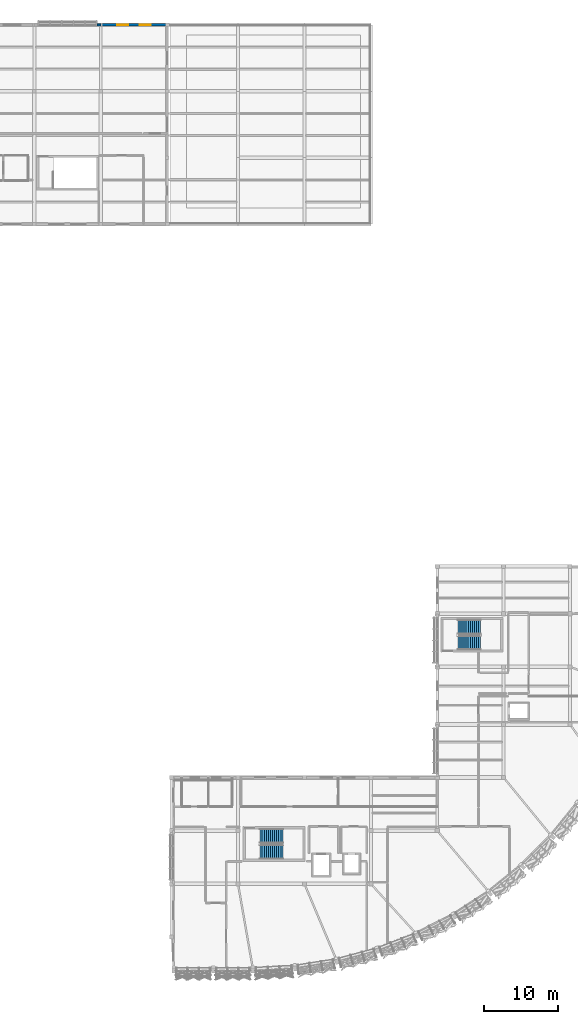
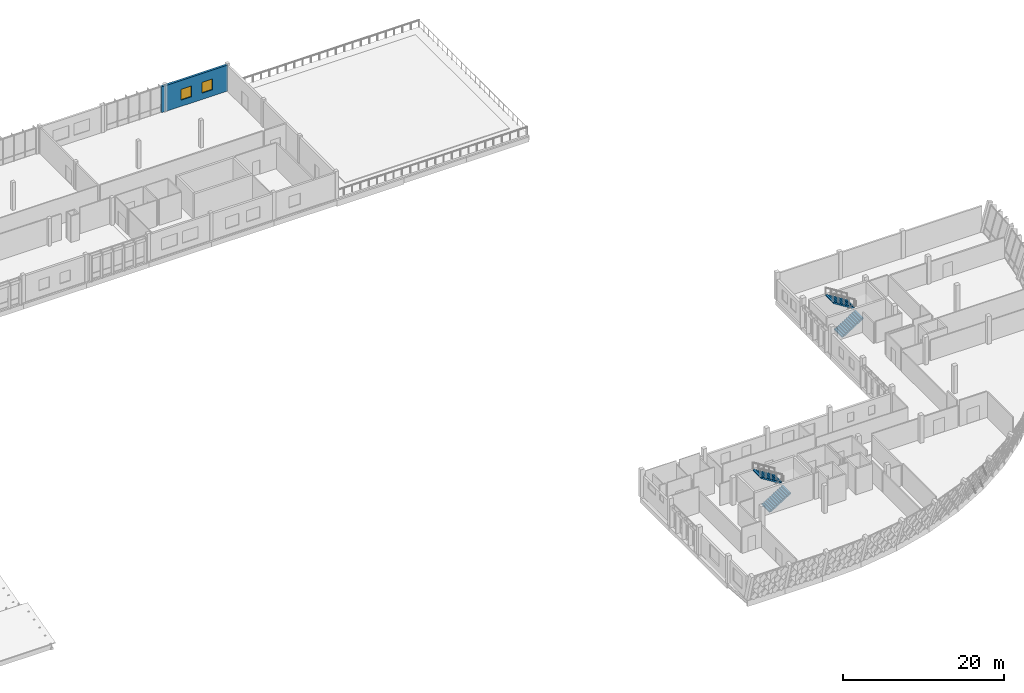
# One storey, part 90 of 94: 4 stair flights, 2 walls, 2 windows, 2 openings, 2 elements without a shape of their own.
"""IFC4 building model written with IfcOpenShell, lengths in metres."""

from ifc_helpers import new_model, si_unit, direction, frame, frame_2d, origin, place, context, subcontext, project, spatial, polyline, rectangle, outline, extrude, material, layer, layer_set, type_object, element, fill, aggregate, save


model = new_model("IFC4")

# Units and contexts
model_context = context("Model", 3, precision=1e-05, world=origin(), true_north=direction((0.0, 1.0)))
body_context = subcontext(model_context, "Body", "Model", "MODEL_VIEW")
ifc_project = project(units=[si_unit("LENGTHUNIT", "METRE"), si_unit("AREAUNIT", "SQUARE_METRE"), si_unit("VOLUMEUNIT", "CUBIC_METRE"), si_unit("PLANEANGLEUNIT", "RADIAN"), si_unit("MASSUNIT", "GRAM", prefix="KILO")], contexts=[model_context])

# Site, building, storey
site_placement = place(None, origin())
site = spatial("IfcSite", under=ifc_project, at=site_placement, CompositionType="ELEMENT")
building_placement = place(site_placement, origin())
building = spatial("IfcBuilding", under=site, at=building_placement, Name="Chiffa Square Polytechnic", CompositionType="ELEMENT")
storey_placement = place(building_placement, frame((0.0, 0.0, 18.0)))
storey = spatial("IfcBuildingStorey", under=building, at=storey_placement, Name="L04", CompositionType="ELEMENT", Elevation=18.0)

# Wall
ifc_material_1 = material(Name="Precast concrete C40/50", Category="concrete")
ifc_layer_1 = layer(ifc_material_1, 0.260009765625, Name="Precast concrete C40/50")
ifc_layer_set_1 = layer_set([ifc_layer_1], Name="Precast concrete C40/50")
wall_type_1 = type_object("IfcWallType", Name="WL-EXT-PC260", PredefinedType="SOLIDWALL", material=ifc_layer_set_1)
wall_1_placement = place(storey_placement, frame((102.60009765625, 130.800048828125, 0.0), z_axis=(0.0, 0.0, 1.0), x_axis=(-1.0, 0.0, 0.0)))
element("IfcWall", 1, at=wall_1_placement, inside=storey, type_object=wall_type_1, Name="Facade column pier V5-L04-0376L", PredefinedType="SOLIDWALL", context=body_context, shape_type="SweptSolid", body=[
    extrude(rectangle(XDim=0.5400390625, YDim=0.260009765625, at=frame_2d((0.27001953125, 0.0))), origin(), (0.0, 0.0, 1.0), 3.93994140625),
])

# Wall, openings, windows
ifc_layer_2 = layer(ifc_material_1, 0.320068359375, Name="Precast concrete C40/50")
ifc_layer_set_2 = layer_set([ifc_layer_2], Name="Precast concrete C40/50")
wall_type_2 = type_object("IfcWallType", Name="WL-EXT-PC320", PredefinedType="SOLIDWALL", material=ifc_layer_set_2)
wall_2_placement = place(storey_placement, frame((111.60009765625, 130.800048828125, 0.0), z_axis=(0.0, 0.0, 1.0), x_axis=(-1.0, 0.0, 0.0)))
wall_2 = element("IfcWall", 2, at=wall_2_placement, inside=storey, type_object=wall_type_2, Name="Exterior wall WE-V5-L04-0375", PredefinedType="SOLIDWALL", context=body_context, shape_type="SweptSolid", body=[
    extrude(rectangle(XDim=9.0, YDim=0.320068359375, at=frame_2d((4.5, 0.0))), origin(), (0.0, 0.0, 1.0), 3.93994140625),
])
opening_1_placement = place(wall_2_placement, frame((2.25, 0.0, 0.949951171875)))
opening_1 = element("IfcOpeningElement", 3, at=opening_1_placement, cuts=wall_2, Name="Opening W-07", PredefinedType="OPENING", context=body_context, shape_type="SweptSolid", body=[
    extrude(rectangle(XDim=1.5, YDim=1.64990234375, at=frame_2d((0.75, 0.824951171875))), frame((0.0, 0.169921875, 0.0), z_axis=(0.0, -1.0, 0.0), x_axis=(1.0, 0.0, 0.0)), (0.0, 0.0, 1.0), 0.340087890625),
])
opening_2_placement = place(wall_2_placement, frame((5.25, 0.0, 0.949951171875)))
opening_2 = element("IfcOpeningElement", 4, at=opening_2_placement, cuts=wall_2, Name="Opening W-07", PredefinedType="OPENING", context=body_context, shape_type="SweptSolid", body=[
    extrude(rectangle(XDim=1.5, YDim=1.64990234375, at=frame_2d((0.75, 0.824951171875))), frame((0.0, 0.169921875, 0.0), z_axis=(0.0, -1.0, 0.0), x_axis=(1.0, 0.0, 0.0)), (0.0, 0.0, 1.0), 0.340087890625),
])
ifc_material_2 = material(Name="Double glazing in thermally broken aluminium frame", Category="aluminium")
window_type = type_object("IfcWindowType", Name="WIN-LAB-1500X1650", PartitioningType="DOUBLE_PANEL_VERTICAL", PredefinedType="WINDOW", material=ifc_material_2)
window_1_placement = place(opening_1_placement, origin())
window_1 = element("IfcWindow", 5, at=window_1_placement, inside=storey, type_object=window_type, Name="Facade window WN-L04-0265", OverallHeight=1.64990234375, OverallWidth=1.5, PartitioningType="DOUBLE_PANEL_VERTICAL", PredefinedType="WINDOW", context=body_context, shape_type="SweptSolid", body=[
    extrude(rectangle(XDim=1.5, YDim=1.64990234375, at=frame_2d((0.75, 0.824951171875))), frame((0.0, 0.030029296875, 0.0), z_axis=(0.0, -1.0, 0.0), x_axis=(1.0, 0.0, 0.0)), (0.0, 0.0, 1.0), 0.06005859375),
])
fill(opening_1, window_1)
window_2_placement = place(opening_2_placement, origin())
window_2 = element("IfcWindow", 6, at=window_2_placement, inside=storey, type_object=window_type, Name="Facade window WN-L04-0266", OverallHeight=1.64990234375, OverallWidth=1.5, PartitioningType="DOUBLE_PANEL_VERTICAL", PredefinedType="WINDOW", context=body_context, shape_type="SweptSolid", body=[
    extrude(rectangle(XDim=1.5, YDim=1.64990234375, at=frame_2d((0.75, 0.824951171875))), frame((0.0, 0.030029296875, 0.0), z_axis=(0.0, -1.0, 0.0), x_axis=(1.0, 0.0, 0.0)), (0.0, 0.0, 1.0), 0.06005859375),
])
fill(opening_2, window_2)

# Stair, stair flights
ifc_material_3 = material(Name="Concrete C35/45", Category="concrete")
stair_type = type_object("IfcStairType", Name="STAIR-DOG-1950", PredefinedType="HALF_TURN_STAIR", material=ifc_material_3)
stair_1_placement = place(storey_placement, origin())
stair_1 = element("IfcStair", 7, at=stair_1_placement, inside=storey, type_object=stair_type, Name="L04 Enclosed exit stair ST-V1A", PredefinedType="HALF_TURN_STAIR")
stair_flight_type = type_object("IfcStairFlightType", Name="STFLT-1950", PredefinedType="STRAIGHT", material=ifc_material_3)
stair_flight_1_placement = place(storey_placement, frame((124.199951171875, 18.72509765625, 0.0), z_axis=(0.0, 0.0, 1.0), x_axis=(1.0, 0.0, 0.0)))
stair_flight_1 = element("IfcStairFlight", 8, at=stair_flight_1_placement, type_object=stair_flight_type, Name="ST-V1A flight 1", NumberOfRisers=12, NumberOfTreads=11, PredefinedType="STRAIGHT", RiserHeight=0.175, TreadLength=0.28, context=body_context, shape_type="SweptSolid", body=[
    extrude(outline(polyline([(0.0, 0.0), (0.0, 0.175048828125), (0.280029296875, 0.175048828125), (0.280029296875, 0.35009765625), (0.56005859375, 0.35009765625), (0.56005859375, 0.52490234375), (0.840087890625, 0.52490234375), (0.840087890625, 0.699951171875), (1.1201171875, 0.699951171875), (1.1201171875, 0.875), (1.39990234375, 0.875), (1.39990234375, 1.050048828125), (1.679931640625, 1.050048828125), (1.679931640625, 1.22509765625), (1.9599609375, 1.22509765625), (1.9599609375, 1.39990234375), (2.239990234375, 1.39990234375), (2.239990234375, 1.574951171875), (2.52001953125, 1.574951171875), (2.52001953125, 1.75), (2.800048828125, 1.75), (2.800048828125, 1.925048828125), (3.080078125, 1.925048828125), (3.080078125, 2.10009765625), (3.080078125, 1.736328125), (0.3017578125, 0.0), (0.0, 0.0)])), frame((0.0, 0.97509765625, 0.0), z_axis=(0.0, -1.0, 0.0), x_axis=(1.0, 0.0, 0.0)), (0.0, 0.0, 1.0), 1.949951171875),
])
stair_flight_2_placement = place(storey_placement, frame((127.280029296875, 20.875, 2.10009765625), z_axis=(0.0, 0.0, 1.0), x_axis=(-1.0, 0.0, 0.0)))
stair_flight_2 = element("IfcStairFlight", 9, at=stair_flight_2_placement, type_object=stair_flight_type, Name="ST-V1A flight 2", NumberOfRisers=12, NumberOfTreads=11, PredefinedType="STRAIGHT", RiserHeight=0.175, TreadLength=0.28, context=body_context, shape_type="SweptSolid", body=[
    extrude(outline(polyline([(0.0, 0.0), (0.0, 0.175048828125), (0.280029296875, 0.175048828125), (0.280029296875, 0.35009765625), (0.56005859375, 0.35009765625), (0.56005859375, 0.52490234375), (0.840087890625, 0.52490234375), (0.840087890625, 0.699951171875), (1.1201171875, 0.699951171875), (1.1201171875, 0.875), (1.39990234375, 0.875), (1.39990234375, 1.050048828125), (1.679931640625, 1.050048828125), (1.679931640625, 1.22509765625), (1.9599609375, 1.22509765625), (1.9599609375, 1.39990234375), (2.239990234375, 1.39990234375), (2.239990234375, 1.574951171875), (2.52001953125, 1.574951171875), (2.52001953125, 1.75), (2.800048828125, 1.75), (2.800048828125, 1.925048828125), (3.080078125, 1.925048828125), (3.080078125, 2.10009765625), (3.080078125, 1.736328125), (0.3017578125, 0.0), (0.0, 0.0)])), frame((0.0, 0.97509765625, 0.0), z_axis=(0.0, -1.0, 0.0), x_axis=(1.0, 0.0, 0.0)), (0.0, 0.0, 1.0), 1.949951171875),
])
aggregate(stair_1, [stair_flight_1, stair_flight_2])

stair_2_placement = place(storey_placement, origin())
stair_2 = element("IfcStair", 10, at=stair_2_placement, inside=storey, type_object=stair_type, Name="L04 Enclosed exit stair ST-V1B", PredefinedType="HALF_TURN_STAIR")
stair_flight_3_placement = place(storey_placement, frame((151.0, 47.074951171875, 0.0), z_axis=(0.0, 0.0, 1.0), x_axis=(1.0, 0.0, 0.0)))
stair_flight_3 = element("IfcStairFlight", 11, at=stair_flight_3_placement, type_object=stair_flight_type, Name="ST-V1B flight 1", NumberOfRisers=12, NumberOfTreads=11, PredefinedType="STRAIGHT", RiserHeight=0.175, TreadLength=0.28, context=body_context, shape_type="SweptSolid", body=[
    extrude(outline(polyline([(0.0, 0.0), (0.0, 0.175048828125), (0.280029296875, 0.175048828125), (0.280029296875, 0.35009765625), (0.56005859375, 0.35009765625), (0.56005859375, 0.52490234375), (0.840087890625, 0.52490234375), (0.840087890625, 0.699951171875), (1.1201171875, 0.699951171875), (1.1201171875, 0.875), (1.39990234375, 0.875), (1.39990234375, 1.050048828125), (1.679931640625, 1.050048828125), (1.679931640625, 1.22509765625), (1.9599609375, 1.22509765625), (1.9599609375, 1.39990234375), (2.239990234375, 1.39990234375), (2.239990234375, 1.574951171875), (2.52001953125, 1.574951171875), (2.52001953125, 1.75), (2.800048828125, 1.75), (2.800048828125, 1.925048828125), (3.080078125, 1.925048828125), (3.080078125, 2.10009765625), (3.080078125, 1.736328125), (0.3017578125, 0.0), (0.0, 0.0)])), frame((0.0, 0.97509765625, 0.0), z_axis=(0.0, -1.0, 0.0), x_axis=(1.0, 0.0, 0.0)), (0.0, 0.0, 1.0), 1.949951171875),
])
stair_flight_4_placement = place(storey_placement, frame((154.080078125, 49.22509765625, 2.10009765625), z_axis=(0.0, 0.0, 1.0), x_axis=(-1.0, 0.0, 0.0)))
stair_flight_4 = element("IfcStairFlight", 12, at=stair_flight_4_placement, type_object=stair_flight_type, Name="ST-V1B flight 2", NumberOfRisers=12, NumberOfTreads=11, PredefinedType="STRAIGHT", RiserHeight=0.175, TreadLength=0.28, context=body_context, shape_type="SweptSolid", body=[
    extrude(outline(polyline([(0.0, 0.0), (0.0, 0.175048828125), (0.280029296875, 0.175048828125), (0.280029296875, 0.35009765625), (0.56005859375, 0.35009765625), (0.56005859375, 0.52490234375), (0.840087890625, 0.52490234375), (0.840087890625, 0.699951171875), (1.1201171875, 0.699951171875), (1.1201171875, 0.875), (1.39990234375, 0.875), (1.39990234375, 1.050048828125), (1.679931640625, 1.050048828125), (1.679931640625, 1.22509765625), (1.9599609375, 1.22509765625), (1.9599609375, 1.39990234375), (2.239990234375, 1.39990234375), (2.239990234375, 1.574951171875), (2.52001953125, 1.574951171875), (2.52001953125, 1.75), (2.800048828125, 1.75), (2.800048828125, 1.925048828125), (3.080078125, 1.925048828125), (3.080078125, 2.10009765625), (3.080078125, 1.736328125), (0.3017578125, 0.0), (0.0, 0.0)])), frame((0.0, 0.97509765625, 0.0), z_axis=(0.0, -1.0, 0.0), x_axis=(1.0, 0.0, 0.0)), (0.0, 0.0, 1.0), 1.949951171875),
])
aggregate(stair_2, [stair_flight_3, stair_flight_4])

save(model, "model.ifc")
